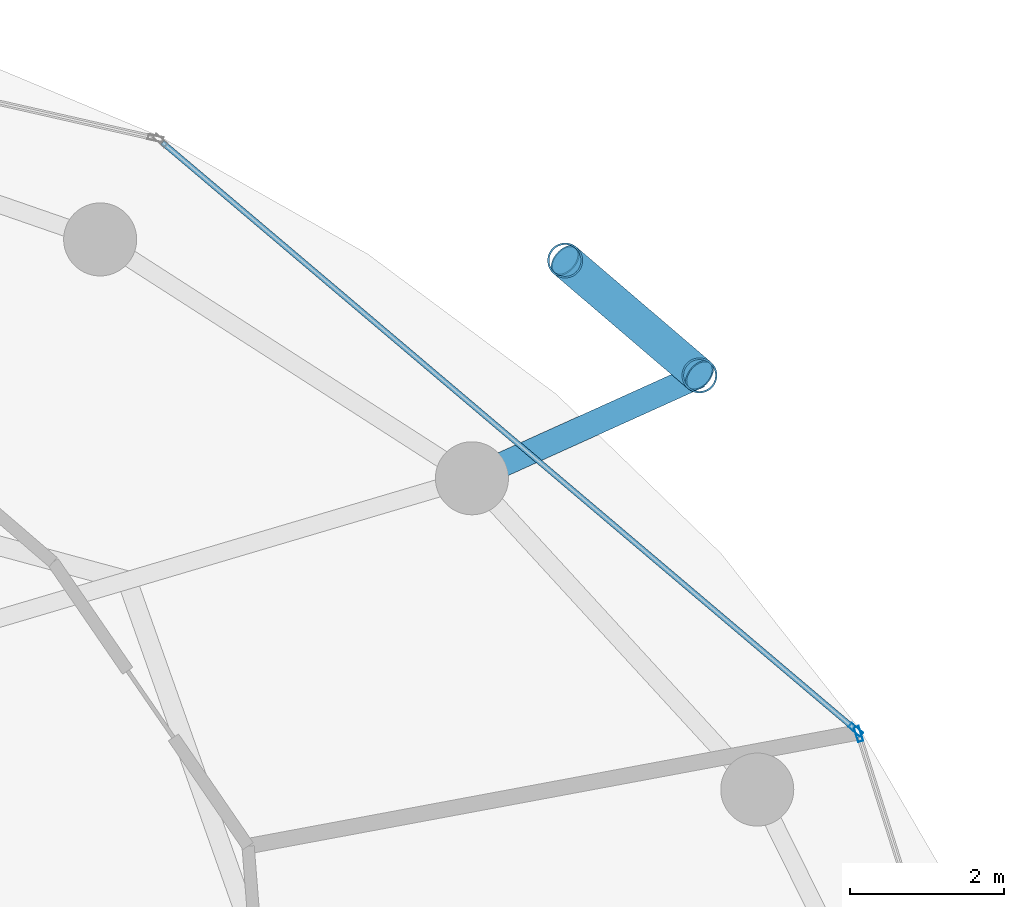
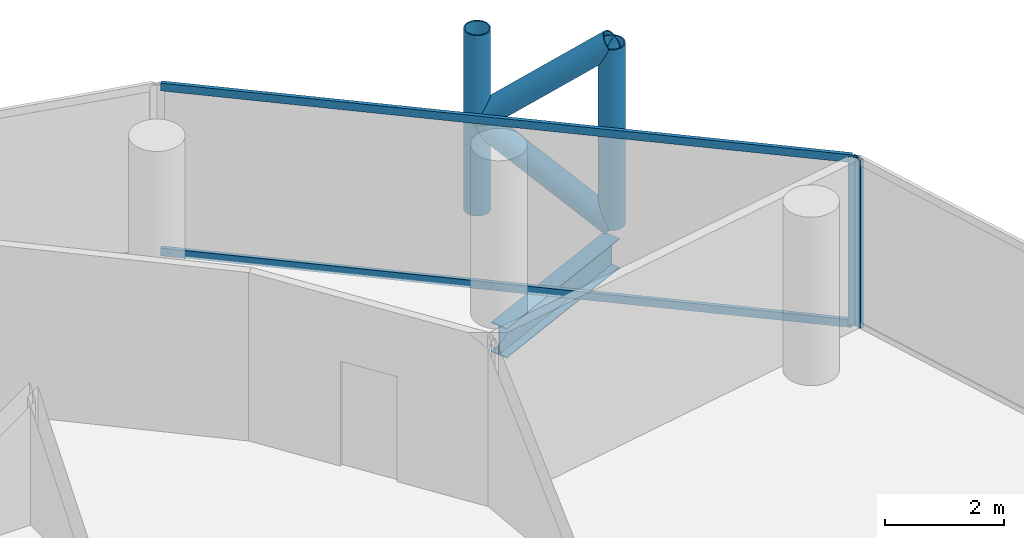
# One storey, part 19 of 26: 8 members, 1 beam, 2 elements without a shape of their own.
"""IFC4 building model written with IfcOpenShell, lengths in metres."""

from ifc_helpers import new_model, si_unit, direction, frame, origin, origin_2d, place, context, subcontext, project, spatial, hollow_rectangle, hollow_circle, i_section, extrude, material, layer, layer_set, material_profile, profile_set, type_object, element, aggregate, save


model = new_model("IFC4")

# Units and contexts
model_context = context("Model", 3, precision=1e-05, world=origin(), true_north=direction((0.0, 1.0)))
body_context = subcontext(model_context, "Body", "Model", "MODEL_VIEW")
ifc_project = project(units=[si_unit("LENGTHUNIT", "METRE"), si_unit("AREAUNIT", "SQUARE_METRE"), si_unit("VOLUMEUNIT", "CUBIC_METRE"), si_unit("PLANEANGLEUNIT", "RADIAN"), si_unit("MASSUNIT", "GRAM", prefix="KILO")], contexts=[model_context])

# Site, building, storey
site_placement = place(None, origin())
site = spatial("IfcSite", under=ifc_project, at=site_placement, CompositionType="ELEMENT")
building_placement = place(site_placement, origin())
building = spatial("IfcBuilding", under=site, at=building_placement, Name="Nuhasar Tower", CompositionType="ELEMENT")
storey_placement = place(building_placement, frame((0.0, 0.0, 166.35009765625)))
storey = spatial("IfcBuildingStorey", under=building, at=storey_placement, Name="L40", CompositionType="ELEMENT", Elevation=166.35009765625)

# Beam
ifc_material_1 = material(Name="Steel S355", Category="steel")
ifc_material_profile_1 = material_profile(ifc_material_1, i_section(OverallWidth=0.323974609375, OverallDepth=0.611083984375, WebThickness=0.0126953125, FlangeThickness=0.01904296875, at=origin_2d()), Name="W24X104")
ifc_profile_set_1 = profile_set([ifc_material_profile_1], Name="Steel S355")
beam_type = type_object("IfcBeamType", Name="BM-TIE-W24X104", PredefinedType="BEAM", material=ifc_profile_set_1)
beam_placement = place(storey_placement, frame((55.510986328125, 40.6240234375, -0.55615234375), z_axis=(0.911239591969, 0.411876687891, 0.0), x_axis=(-0.411876687891, 0.911239591969, 0.0)))
element("IfcBeam", 1, at=beam_placement, inside=storey, type_object=beam_type, Name="L40 Exoskeleton Node Tie Beam 02", PredefinedType="BEAM", context=body_context, shape_type="SweptSolid", body=[
    extrude(i_section(OverallWidth=0.323974609375, OverallDepth=0.611083984375, WebThickness=0.0126953125, FlangeThickness=0.01904296875, at=origin_2d()), origin(), (0.0, 0.0, 1.0), 3.248291015625),
])

# Curtain wall, member
ifc_material_2 = material(Name="Aluminium 6063-T6", Category="aluminium")
ifc_layer = layer(ifc_material_2, 0.199951171875)
ifc_layer_set = layer_set([ifc_layer], Name="Aluminium 6063-T6")
curtain_wall_type = type_object("IfcCurtainWallType", Name="CW-Z2-HTL", PredefinedType="NOTDEFINED", material=ifc_layer_set)
curtain_wall_1_placement = place(storey_placement, origin())
curtain_wall_1 = element("IfcCurtainWall", 2, at=curtain_wall_1_placement, inside=storey, type_object=curtain_wall_type, Name="L40 Unitised Curtain Wall 01", PredefinedType="NOTDEFINED")
ifc_material_profile_2 = material_profile(ifc_material_2, hollow_rectangle(XDim=0.070068359375, YDim=0.199951171875, WallThickness=0.0048828125, at=origin_2d()), Name="CWM-3")
ifc_profile_set_2 = profile_set([ifc_material_profile_2], Name="Aluminium 6063-T6")
member_type_1 = type_object("IfcMemberType", Name="CW-MUL-S3", PredefinedType="MULLION", material=ifc_profile_set_2)
member_1_placement = place(storey_placement, frame((60.53955078125, 37.296630859375, 0.0), z_axis=(0.0, 0.0, 1.0), x_axis=(-0.953433389233, -0.301603667577, 0.0)))
member_1 = element("IfcMember", 3, at=member_1_placement, type_object=member_type_1, Name="CW-Z2 mullion 2", PredefinedType="MULLION", context=body_context, shape_type="SweptSolid", body=[
    extrude(hollow_rectangle(XDim=0.070068359375, YDim=0.199951171875, WallThickness=0.0048828125, at=origin_2d()), origin(), (0.0, 0.0, 1.0), 3.449951171875),
])
aggregate(curtain_wall_1, [member_1])

# Curtain wall, members
curtain_wall_2_placement = place(storey_placement, origin())
curtain_wall_2 = element("IfcCurtainWall", 4, at=curtain_wall_2_placement, inside=storey, type_object=curtain_wall_type, Name="L40 Unitised Curtain Wall 02", PredefinedType="NOTDEFINED")
member_2_placement = place(storey_placement, frame((60.502197265625, 37.3525390625, 0.0), z_axis=(0.0, 0.0, 1.0), x_axis=(-0.646374438324, -0.763020370292, 0.0)))
member_2 = element("IfcMember", 5, at=member_2_placement, type_object=member_type_1, Name="CW-Z2 mullion 1", PredefinedType="MULLION", context=body_context, shape_type="SweptSolid", body=[
    extrude(hollow_rectangle(XDim=0.070068359375, YDim=0.199951171875, WallThickness=0.0048828125, at=origin_2d()), origin(), (0.0, 0.0, 1.0), 3.449951171875),
])
ifc_material_profile_3 = material_profile(ifc_material_2, hollow_rectangle(XDim=0.070068359375, YDim=0.159912109375, WallThickness=0.00439453125, at=origin_2d()), Name="CWT-3")
ifc_profile_set_3 = profile_set([ifc_material_profile_3], Name="Aluminium 6063-T6")
member_type_2 = type_object("IfcMemberType", Name="CW-TRN-S3", PredefinedType="USERDEFINED", material=ifc_profile_set_3)
member_3_placement = place(storey_placement, frame((60.4755859375, 37.375244140625, 0.034912109375), z_axis=(-0.763023915269, 0.646370253592, 0.0), x_axis=(-0.646370253592, -0.763023915269, 0.0)))
member_3 = element("IfcMember", 6, at=member_3_placement, type_object=member_type_2, Name="CW-Z2 transom 1.1", ObjectType="TRANSOM", PredefinedType="USERDEFINED", context=body_context, shape_type="SweptSolid", body=[
    extrude(hollow_rectangle(XDim=0.070068359375, YDim=0.159912109375, WallThickness=0.00439453125, at=origin_2d()), origin(), (0.0, 0.0, 1.0), 11.784912109375),
])
member_4_placement = place(storey_placement, frame((60.4755859375, 37.375244140625, 3.414794921875), z_axis=(-0.763023915269, 0.646370253592, 0.0), x_axis=(-0.646370253592, -0.763023915269, 0.0)))
member_4 = element("IfcMember", 7, at=member_4_placement, type_object=member_type_2, Name="CW-Z2 transom 1.2", ObjectType="TRANSOM", PredefinedType="USERDEFINED", context=body_context, shape_type="SweptSolid", body=[
    extrude(hollow_rectangle(XDim=0.070068359375, YDim=0.159912109375, WallThickness=0.00439453125, at=origin_2d()), origin(), (0.0, 0.0, 1.0), 11.784912109375),
])
aggregate(curtain_wall_2, [member_2, member_3, member_4])

# Members
ifc_material_3 = material(Name="Steel S460", Category="steel")
ifc_material_profile_4 = material_profile(ifc_material_3, hollow_circle(Radius=0.228515625, WallThickness=0.022216796875, at=origin_2d()), Name="HSS457X22.2")
ifc_profile_set_4 = profile_set([ifc_material_profile_4], Name="Steel S460")
member_type_3 = type_object("IfcMemberType", Name="EXO-BRONZE-457", PredefinedType="BRACE", material=ifc_profile_set_4)
for number, where, z_axis, x_axis, name in (
    (8, (58.470947265625, 41.9619140625, 0.0), (0.0, 0.0, 1.0), (1.0, 0.0, 0.0), "L40 Exoskeleton Chord Column EC-02A"),
    (9, (56.722900390625, 43.45703125, 0.0), (0.0, 0.0, 1.0), (1.0, 0.0, 0.0), "L40 Exoskeleton Chord Column EC-02B"),
):
    element("IfcMember", number, at=place(storey_placement, frame(where, z_axis=z_axis, x_axis=x_axis)), inside=storey, type_object=member_type_3, Name=name, PredefinedType="BRACE", context=body_context, shape_type="SweptSolid", body=[
        extrude(hollow_circle(Radius=0.228515625, WallThickness=0.022216796875, at=origin_2d()), origin(), (0.0, 0.0, 1.0), 3.699951171875),
    ])
member_5_placement = place(storey_placement, frame((58.470947265625, 41.9619140625, 0.0), z_axis=(-0.592201065785, 0.506513872468, 0.626690988192), x_axis=(-0.649986859795, -0.759945446788, 0.0)))
element("IfcMember", 10, at=member_5_placement, inside=storey, type_object=member_type_3, Name="L40 Bronze Diagrid Brace W1-02", PredefinedType="BRACE", context=body_context, shape_type="SweptSolid", body=[
    extrude(hollow_circle(Radius=0.228515625, WallThickness=0.022216796875, at=origin_2d()), origin(), (0.0, 0.0, 1.0), 2.95166015625),
])
member_6_placement = place(storey_placement, frame((56.722900390625, 43.45703125, 1.849853515625), z_axis=(0.592170370358, -0.506487618445, 0.626741210415), x_axis=(0.649986859795, 0.759945446788, 0.0)))
element("IfcMember", 11, at=member_6_placement, inside=storey, type_object=member_type_3, Name="L40 Bronze Diagrid Brace W2-02", PredefinedType="BRACE", context=body_context, shape_type="SweptSolid", body=[
    extrude(hollow_circle(Radius=0.228515625, WallThickness=0.022216796875, at=origin_2d()), origin(), (0.0, 0.0, 1.0), 2.951904296875),
])

save(model, "model.ifc")
